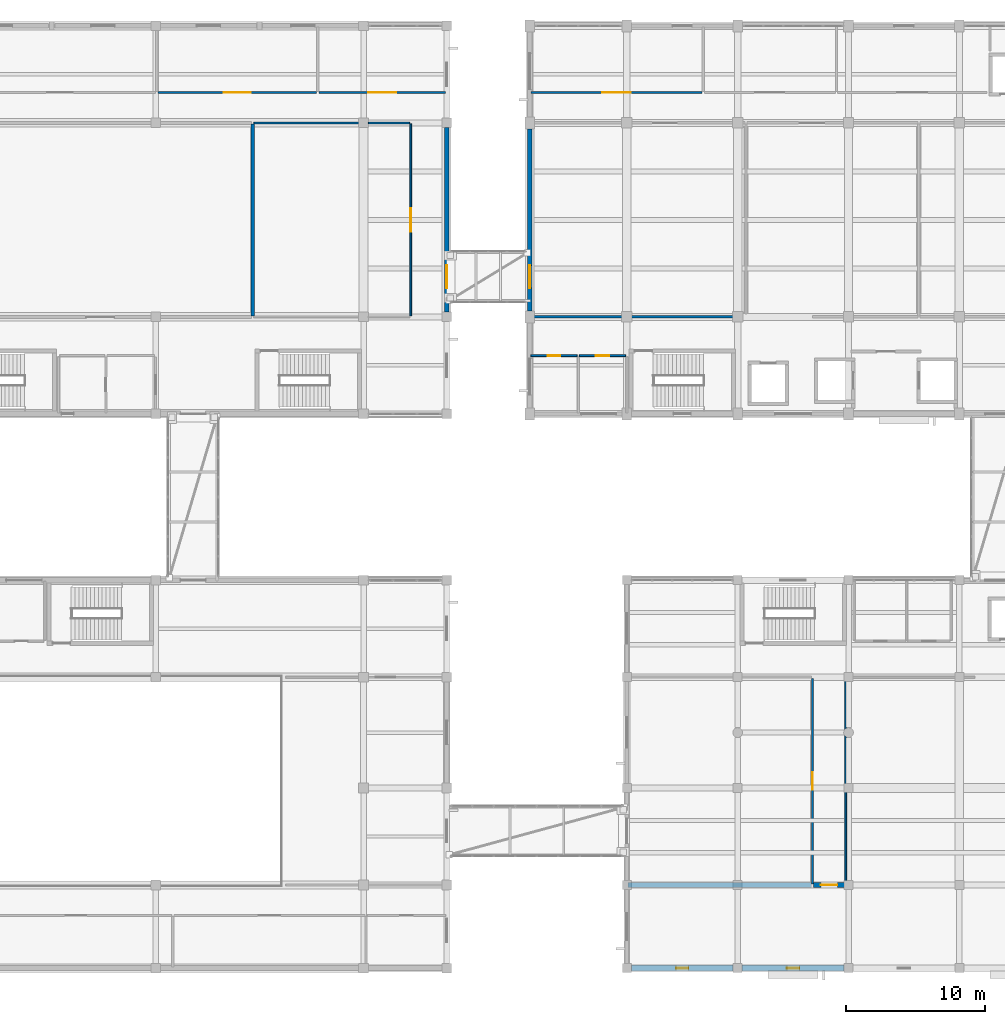
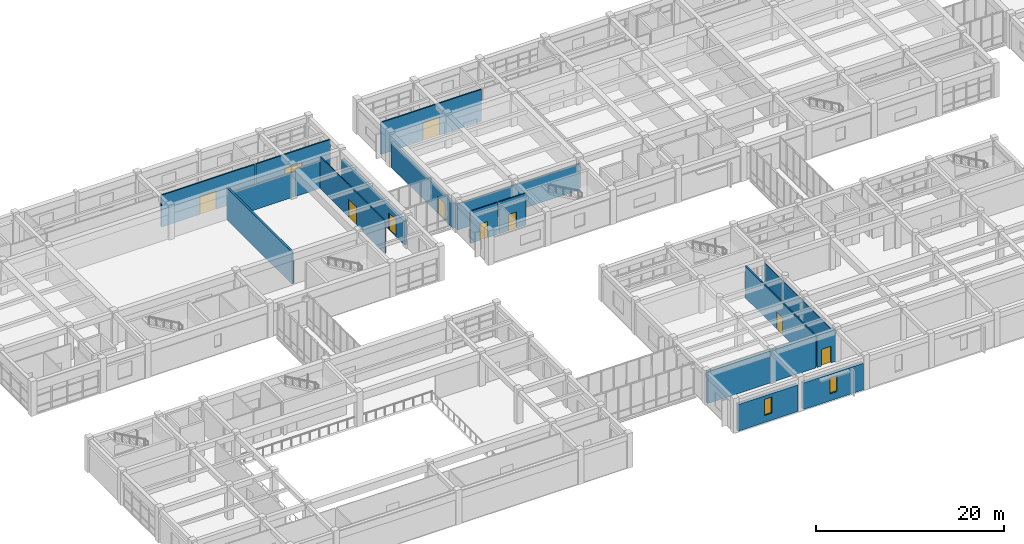
# One storey, part 48 of 70: 18 walls, 10 doors, 2 windows, 12 openings.
"""IFC4 building model written with IfcOpenShell, lengths in metres."""

import ifcopenshell
import ifcopenshell.guid

model = None  # the IFC model being written
_history = None  # IfcOwnerHistory: only IFC2X3 demands one
_inside = {}  # id of a spatial element -> (the spatial element, [elements in it])
_under = {}  # id of a project, library or spatial element -> (it, [spatial elements below it])
_declared = {}  # id of a project -> (the project, [libraries it declares])
_typed = {}  # id of a type object -> (the type object, [elements of that type])
_made_of = {}  # id of a material, layer set ... -> (it, [elements and type objects made of it])


def new_model(schema):
    """Start an empty IFC model of exactly this schema.

    Asked for "IFC4X3", IfcOpenShell would pick the latest addendum, in which some entities
    have other attributes; the version numbers below select the first issue.
    IFC2X3 requires an IfcOwnerHistory on every rooted entity: one is made here for all.
    """
    global model, _history
    if schema == "IFC4X3":
        model = ifcopenshell.file(schema_version=(4, 3, 0, 0))
    else:
        model = ifcopenshell.file(schema=schema)
    _inside.clear()
    _under.clear()
    _declared.clear()
    _typed.clear()
    _made_of.clear()
    _history = None
    if model.schema == "IFC2X3":
        org = make("IfcOrganization", Name="unknown")
        user = make(
            "IfcPersonAndOrganization",
            ThePerson=make("IfcPerson", FamilyName="unknown"),
            TheOrganization=org,
        )
        app = make(
            "IfcApplication",
            ApplicationDeveloper=org,
            Version="unknown",
            ApplicationFullName="unknown",
            ApplicationIdentifier="unknown",
        )
        _history = make(
            "IfcOwnerHistory",
            OwningUser=user,
            OwningApplication=app,
            ChangeAction="ADDED",
            CreationDate=0,
        )
    return model


def make(cls, **values):
    """One entity of the class cls with the attributes given. An attribute that is None is left unset."""
    return model.create_entity(
        cls, **{name: value for name, value in values.items() if value is not None}
    )


def rooted(cls, **values):
    """An entity with a GlobalId (a new one), such as an element, a storey or a relation."""
    return make(cls, GlobalId=ifcopenshell.guid.new(), OwnerHistory=_history, **values)


def si_unit(unit_type, name, prefix=None):
    """IfcSIUnit, for example si_unit("LENGTHUNIT", "METRE", prefix="MILLI")."""
    return make("IfcSIUnit", UnitType=unit_type, Prefix=prefix, Name=name)


def assignment(units):
    """IfcUnitAssignment: the units of a project."""
    return None if units is None else make("IfcUnitAssignment", Units=units)


def point(xyz):
    """IfcCartesianPoint."""
    return None if xyz is None else make("IfcCartesianPoint", Coordinates=xyz)


def direction(xyz):
    """IfcDirection."""
    return None if xyz is None else make("IfcDirection", DirectionRatios=xyz)


def frame(location, z_axis=None, x_axis=None):
    """IfcAxis2Placement3D, a coordinate frame: its origin and axes. An axis left out is left unset."""
    return make(
        "IfcAxis2Placement3D",
        Location=point(location),
        Axis=direction(z_axis),
        RefDirection=direction(x_axis),
    )


def frame_2d(location, x_axis=None):
    """IfcAxis2Placement2D, a coordinate frame in the plane: its origin and x axis."""
    return make(
        "IfcAxis2Placement2D", Location=point(location), RefDirection=direction(x_axis)
    )


def origin():
    """The frame at (0, 0, 0) with its axes left unset."""
    return frame((0.0, 0.0, 0.0))


def place(relative_to, where):
    """IfcLocalPlacement: puts the frame where relative to a parent placement (None: the world)."""
    return make(
        "IfcLocalPlacement", PlacementRelTo=relative_to, RelativePlacement=where
    )


def context(
    kind, dimensions, precision=None, world=None, true_north=None, identifier=None
):
    """IfcGeometricRepresentationContext, for example the 3D "Model" context."""
    return make(
        "IfcGeometricRepresentationContext",
        ContextIdentifier=identifier,
        ContextType=kind,
        CoordinateSpaceDimension=dimensions,
        Precision=precision,
        WorldCoordinateSystem=world,
        TrueNorth=true_north,
    )


def subcontext(parent, identifier, kind, view, scale=None):
    """IfcGeometricRepresentationSubContext, for example "Body" below "Model"."""
    return make(
        "IfcGeometricRepresentationSubContext",
        ContextIdentifier=identifier,
        ContextType=kind,
        ParentContext=parent,
        TargetScale=scale,
        TargetView=view,
    )


def project(units=None, contexts=None):
    """IfcProject with its units and contexts."""
    return rooted(
        "IfcProject",
        Name="project",
        RepresentationContexts=contexts,
        UnitsInContext=assignment(units),
    )


def spatial(cls, under=None, at=None, **own):
    """A site, building, storey or space (cls), placed at a placement, below another one or the project."""
    s = rooted(cls, ObjectPlacement=at, **own)
    if under is not None:
        _under.setdefault(under.id(), (under, []))[1].append(s)
    return s


def profile(cls, at=None, kind="AREA", **sizes):
    """A parametric profile (cls). Its sizes go by their IFC names, for example OverallWidth=200.0."""
    return make(cls, ProfileType=kind, Position=at, **sizes)


def rectangle(**sizes):
    """IfcRectangleProfileDef."""
    return profile("IfcRectangleProfileDef", **sizes)


def extrude(swept, where, along, depth):
    """IfcExtrudedAreaSolid: the profile swept, set in the frame where, extruded along a direction by depth."""
    return make(
        "IfcExtrudedAreaSolid",
        SweptArea=swept,
        Position=where,
        ExtrudedDirection=direction(along),
        Depth=depth,
    )


def shape(context_of_items, identifier, shape_type, items):
    """IfcShapeRepresentation: the items that make up one representation, for example the "Body"."""
    return make(
        "IfcShapeRepresentation",
        ContextOfItems=context_of_items,
        RepresentationIdentifier=identifier,
        RepresentationType=shape_type,
        Items=items,
    )


def material(Name=None, Category=None):
    """IfcMaterial."""
    return make("IfcMaterial", Name=Name, Category=Category)


def layer(
    of_material, thickness, ventilated=None, Name=None, Category=None, Priority=None
):
    """IfcMaterialLayer: one layer of a wall or slab, of a material (None: an air gap)."""
    return make(
        "IfcMaterialLayer",
        Material=of_material,
        LayerThickness=thickness,
        IsVentilated=ventilated,
        Name=Name,
        Category=Category,
        Priority=Priority,
    )


def layer_set(layers, Name=None):
    """IfcMaterialLayerSet."""
    return make("IfcMaterialLayerSet", MaterialLayers=layers, LayerSetName=Name)


def made_of(thing, what):
    """Note that an element or type object is made of a material, layer set ...; save() writes the relation."""
    if what is not None:
        _made_of.setdefault(what.id(), (what, []))[1].append(thing)
    return thing


def type_object(cls, material=None, **own):
    """A type object (cls), such as IfcWallType, which elements share."""
    return made_of(rooted(cls, **own), material)


def element(
    cls,
    number,
    at=None,
    inside=None,
    cuts=None,
    type_object=None,
    material=None,
    context=None,
    identifier="Body",
    shape_type=None,
    held_by="IfcProductDefinitionShape",
    body=None,
    shapes=None,
    **own,
):
    """One element of the class cls, such as IfcWall. Its Tag is "e" and its number.

    at: its placement. inside: the storey or other place that contains it. cuts: it is an
    opening in that element (IfcRelVoidsElement). A single representation is given by context,
    identifier, shape_type and body (its items); several are given by shapes. held_by: the class
    of the entity that holds the representations. save() writes the other relations.
    """
    e = rooted(cls, Tag="e%d" % number, ObjectPlacement=at, **own)
    if body is not None:
        shapes = [shape(context, identifier, shape_type, body)]
    if shapes is not None:
        e.Representation = make(held_by, Representations=shapes)
    if inside is not None:
        _inside.setdefault(inside.id(), (inside, []))[1].append(e)
    if cuts is not None:
        rooted(
            "IfcRelVoidsElement", RelatingBuildingElement=cuts, RelatedOpeningElement=e
        )
    if type_object is not None:
        _typed.setdefault(type_object.id(), (type_object, []))[1].append(e)
    return made_of(e, material)


def fill(opening, filler):
    """IfcRelFillsElement: the door or window that sits in an opening."""
    return rooted(
        "IfcRelFillsElement",
        RelatingOpeningElement=opening,
        RelatedBuildingElement=filler,
    )


def aggregate(whole, parts):
    """IfcRelAggregates: a whole, such as a stair, and the parts it consists of."""
    return rooted("IfcRelAggregates", RelatingObject=whole, RelatedObjects=parts)


def save(model, path):
    """Write the relations noted so far, then the file.

    IfcRelAggregates (storeys below a building ...), IfcRelContainedInSpatialStructure (elements
    in a storey), IfcRelDefinesByType, IfcRelAssociatesMaterial and IfcRelDeclares: one each for
    every whole, place, type object, material and project.
    """
    for whole, parts in _under.values():
        aggregate(whole, parts)
    for where, things in _inside.values():
        rooted(
            "IfcRelContainedInSpatialStructure",
            RelatedElements=things,
            RelatingStructure=where,
        )
    for kind, things in _typed.values():
        rooted("IfcRelDefinesByType", RelatedObjects=things, RelatingType=kind)
    for what, things in _made_of.values():
        rooted("IfcRelAssociatesMaterial", RelatedObjects=things, RelatingMaterial=what)
    for by, libraries in _declared.values():
        rooted("IfcRelDeclares", RelatingContext=by, RelatedDefinitions=libraries)
    model.write(path)


model = new_model("IFC4")

# Units and contexts
model_context = context("Model", 3, precision=1e-05, world=origin(), true_north=direction((0.0, 1.0)))
body_context = subcontext(model_context, "Body", "Model", "MODEL_VIEW")
ifc_project = project(units=[si_unit("LENGTHUNIT", "METRE"), si_unit("AREAUNIT", "SQUARE_METRE"), si_unit("VOLUMEUNIT", "CUBIC_METRE"), si_unit("PLANEANGLEUNIT", "RADIAN"), si_unit("MASSUNIT", "GRAM", prefix="KILO")], contexts=[model_context])

# Site, building, storey
site_placement = place(None, origin())
site = spatial("IfcSite", under=ifc_project, at=site_placement, CompositionType="ELEMENT")
building_placement = place(site_placement, origin())
building = spatial("IfcBuilding", under=site, at=building_placement, Name="Naurynzar Civic Courthouse", CompositionType="ELEMENT")
storey_placement = place(building_placement, frame((0.0, 0.0, 5.39990234375)))
storey = spatial("IfcBuildingStorey", under=building, at=storey_placement, Name="L02", CompositionType="ELEMENT", Elevation=5.39990234375)

# Walls
ifc_material_1 = material(Name="Acoustic Double-Stud Gypsum Partition")
ifc_layer_1 = layer(ifc_material_1, 0.169921875)
ifc_layer_set_1 = layer_set([ifc_layer_1], Name="WL-ACOUSTIC-170")
wall_type_1 = type_object("IfcWallType", Name="WL-ACOUSTIC-170", PredefinedType="PARTITIONING", material=ifc_layer_set_1)
wall_1_placement = place(storey_placement, frame((62.080078125, 51.0, 0.0), z_axis=(0.0, 0.0, 1.0), x_axis=(1.0, 0.0, 0.0)))
element("IfcWall", 1, at=wall_1_placement, inside=storey, type_object=wall_type_1, Name="V2 interior partition L02.226", PredefinedType="PARTITIONING", context=body_context, shape_type="SweptSolid", body=[
    extrude(rectangle(XDim=15.119873046875, YDim=0.169921875, at=frame_2d((7.56005859375, 0.0))), origin(), (0.0, 0.0, 1.0), 3.400146484375),
])
ifc_material_2 = material(Name="Acoustic Double-Stud Gypsum Partition")
ifc_layer_2 = layer(ifc_material_2, 0.235107421875)
ifc_layer_set_2 = layer_set([ifc_layer_2], Name="WL-ACOUSTIC-235")
wall_type_2 = type_object("IfcWallType", Name="WL-ACOUSTIC-235", PredefinedType="PARTITIONING", material=ifc_layer_set_2)
wall_2_placement = place(storey_placement, frame((42.0, 51.080078125, 0.0), z_axis=(0.0, 0.0, 1.0), x_axis=(0.0, 1.0, 0.0)))
element("IfcWall", 2, at=wall_2_placement, inside=storey, type_object=wall_type_2, Name="V1 interior partition L02.268", PredefinedType="PARTITIONING", context=body_context, shape_type="SweptSolid", body=[
    extrude(rectangle(XDim=13.83984375, YDim=0.235107421875, at=frame_2d((6.919921875, 0.0))), origin(), (0.0, 0.0, 1.0), 4.14013671875),
])
ifc_material_3 = material(Name="Concrete C40/50", Category="concrete")
ifc_layer_3 = layer(ifc_material_3, 0.35009765625)
ifc_layer_set_3 = layer_set([ifc_layer_3], Name="WL-CORE-350")
wall_type_3 = type_object("IfcWallType", Name="WL-CORE-350", PredefinedType="SHEAR", material=ifc_layer_set_3)
wall_3_placement = place(storey_placement, frame((69.080078125, 10.0, 0.0), z_axis=(0.0, 0.0, 1.0), x_axis=(1.0, 0.0, 0.0)))
element("IfcWall", 3, at=wall_3_placement, inside=storey, type_object=wall_type_3, Name="V3 interior partition L02.190", PredefinedType="SHEAR", context=body_context, shape_type="SweptSolid", body=[
    extrude(rectangle(XDim=13.239990234375, YDim=0.35009765625, at=frame_2d((6.6201171875, 0.0))), origin(), (0.0, 0.0, 1.0), 4.14013671875),
])

# Wall, opening, door
wall_4_placement = place(storey_placement, frame((82.47998046875, 10.0, 0.0), z_axis=(0.0, 0.0, 1.0), x_axis=(1.0, 0.0, 0.0)))
wall_4 = element("IfcWall", 4, at=wall_4_placement, inside=storey, type_object=wall_type_3, Name="V3 interior partition L02.191", PredefinedType="SHEAR", context=body_context, shape_type="SweptSolid", body=[
    extrude(rectangle(XDim=2.239990234375, YDim=0.35009765625, at=frame_2d((1.1201171875, 0.0))), origin(), (0.0, 0.0, 1.0), 4.14013671875),
])
opening_1_placement = place(wall_4_placement, frame((0.52001953125, 0.0, 0.0)))
opening_1 = element("IfcOpeningElement", 5, at=opening_1_placement, cuts=wall_4, Name="Opening D-236", PredefinedType="OPENING", context=body_context, shape_type="SweptSolid", body=[
    extrude(rectangle(XDim=1.199951171875, YDim=2.14990234375, at=frame_2d((0.60009765625, 1.074951171875))), frame((0.0, 0.18505859375, 0.0), z_axis=(0.0, -1.0, 0.0), x_axis=(1.0, 0.0, 0.0)), (0.0, 0.0, 1.0), 0.3701171875),
])
ifc_material_4 = material(Name="Powder-Coated Galvanised Steel", Category="steel")
door_type_1 = type_object("IfcDoorType", Name="DR-ARCH-1200x2150", OperationType="NOTDEFINED", PredefinedType="DOOR", material=ifc_material_4)
door_1_placement = place(opening_1_placement, origin())
door_1 = element("IfcDoor", 6, at=door_1_placement, inside=storey, type_object=door_type_1, Name="Interior door D-236 (Law Library Book Stacks South L02)", OperationType="SINGLE_SWING_RIGHT", OverallHeight=2.14990234375, OverallWidth=1.199951171875, PredefinedType="DOOR", context=body_context, shape_type="SweptSolid", body=[
    extrude(rectangle(XDim=1.199951171875, YDim=2.14990234375, at=frame_2d((0.60009765625, 1.074951171875))), frame((0.0, 0.02490234375, 0.0), z_axis=(0.0, -1.0, 0.0), x_axis=(1.0, 0.0, 0.0)), (0.0, 0.0, 1.0), 0.050048828125),
])
fill(opening_1, door_1)

ifc_material_5 = material(Name="Precast concrete C40/50", Category="concrete")
ifc_layer_4 = layer(ifc_material_5, 0.300048828125)
ifc_layer_set_4 = layer_set([ifc_layer_4], Name="WL-EXT-300")
wall_type_4 = type_object("IfcWallType", Name="WL-EXT-300", PredefinedType="SOLIDWALL", material=ifc_layer_set_4)
wall_5_placement = place(storey_placement, frame((62.0, 51.425048828125, 0.0), z_axis=(0.0, 0.0, 1.0), x_axis=(0.0, 1.0, 0.0)))
wall_5 = element("IfcWall", 7, at=wall_5_placement, inside=storey, type_object=wall_type_4, Name="V2 exterior wall west L02.2.1", PredefinedType="SOLIDWALL", context=body_context, shape_type="SweptSolid", body=[
    extrude(rectangle(XDim=13.14990234375, YDim=0.300048828125, at=frame_2d((6.574951171875, 0.0))), origin(), (0.0, 0.0, 1.0), 3.22998046875),
])
opening_2_placement = place(wall_5_placement, frame((1.64990234375, 0.0, 0.0)))
opening_2 = element("IfcOpeningElement", 8, at=opening_2_placement, cuts=wall_5, Name="Opening BD-08", PredefinedType="OPENING", context=body_context, shape_type="SweptSolid", body=[
    extrude(rectangle(XDim=1.64990234375, YDim=2.199951171875, at=frame_2d((0.824951171875, 1.10009765625))), frame((0.0, 0.159912109375, 0.0), z_axis=(0.0, -1.0, 0.0), x_axis=(1.0, 0.0, 0.0)), (0.0, 0.0, 1.0), 0.320068359375),
])
ifc_material_6 = material(Name="Aluminium 6063-T6", Category="aluminium")
door_type_2 = type_object("IfcDoorType", Name="DR-BRG-1650x2200", OperationType="DOUBLE_DOOR_SINGLE_SWING", PredefinedType="DOOR", material=ifc_material_6)
door_2_placement = place(opening_2_placement, origin())
door_2 = element("IfcDoor", 9, at=door_2_placement, inside=storey, type_object=door_type_2, Name="Seismic bridge fire door BD-08", OperationType="DOUBLE_DOOR_SINGLE_SWING", OverallHeight=2.199951171875, OverallWidth=1.64990234375, PredefinedType="DOOR", context=body_context, shape_type="SweptSolid", body=[
    extrude(rectangle(XDim=1.64990234375, YDim=2.199951171875, at=frame_2d((0.824951171875, 1.10009765625))), frame((0.0, 0.02490234375, 0.0), z_axis=(0.0, -1.0, 0.0), x_axis=(1.0, 0.0, 0.0)), (0.0, 0.0, 1.0), 0.050048828125),
])
fill(opening_2, door_2)

ifc_material_7 = material(Name="Precast concrete C40/50", Category="concrete")
ifc_layer_5 = layer(ifc_material_7, 0.320068359375)
ifc_layer_set_5 = layer_set([ifc_layer_5], Name="WL-EXT-320")
wall_type_5 = type_object("IfcWallType", Name="WL-EXT-320", PredefinedType="SOLIDWALL", material=ifc_layer_set_5)
wall_6_placement = place(storey_placement, frame((56.0, 64.64990234375, 0.0), z_axis=(0.0, 0.0, 1.0), x_axis=(0.0, -1.0, 0.0)))
wall_6 = element("IfcWall", 10, at=wall_6_placement, inside=storey, type_object=wall_type_5, Name="V1 exterior wall east L02.2.1", PredefinedType="SOLIDWALL", context=body_context, shape_type="SweptSolid", body=[
    extrude(rectangle(XDim=13.2998046875, YDim=0.320068359375, at=frame_2d((6.64990234375, 0.0))), origin(), (0.0, 0.0, 1.0), 3.110107421875),
])
opening_3_placement = place(wall_6_placement, frame((9.925048828125, 0.0, 0.0)))
opening_3 = element("IfcOpeningElement", 11, at=opening_3_placement, cuts=wall_6, Name="Opening BD-02", PredefinedType="OPENING", context=body_context, shape_type="SweptSolid", body=[
    extrude(rectangle(XDim=1.64990234375, YDim=2.199951171875, at=frame_2d((0.824951171875, 1.10009765625))), frame((0.0, 0.169921875, 0.0), z_axis=(0.0, -1.0, 0.0), x_axis=(1.0, 0.0, 0.0)), (0.0, 0.0, 1.0), 0.340087890625),
])
door_3_placement = place(opening_3_placement, origin())
door_3 = element("IfcDoor", 12, at=door_3_placement, inside=storey, type_object=door_type_2, Name="Seismic bridge fire door BD-02", OperationType="DOUBLE_DOOR_SINGLE_SWING", OverallHeight=2.199951171875, OverallWidth=1.64990234375, PredefinedType="DOOR", context=body_context, shape_type="SweptSolid", body=[
    extrude(rectangle(XDim=1.64990234375, YDim=2.199951171875, at=frame_2d((0.824951171875, 1.10009765625))), frame((0.0, 0.02490234375, 0.0), z_axis=(0.0, -1.0, 0.0), x_axis=(1.0, 0.0, 0.0)), (0.0, 0.0, 1.0), 0.050048828125),
])
fill(opening_3, door_3)

ifc_material_8 = material(Name="Insulated Metal-Stud Gypsum Partition")
ifc_layer_6 = layer(ifc_material_8, 0.159912109375)
ifc_layer_set_6 = layer_set([ifc_layer_6], Name="WL-PART-CHAMB-160")
wall_type_6 = type_object("IfcWallType", Name="WL-PART-CHAMB-160", PredefinedType="PARTITIONING", material=ifc_layer_set_6)
wall_7_placement = place(storey_placement, frame((35.14990234375, 67.199951171875, 0.0), z_axis=(0.0, 0.0, 1.0), x_axis=(1.0, 0.0, 0.0)))
wall_7 = element("IfcWall", 13, at=wall_7_placement, inside=storey, type_object=wall_type_6, Name="V1 interior partition L02.247", PredefinedType="PARTITIONING", context=body_context, shape_type="SweptSolid", body=[
    extrude(rectangle(XDim=11.47021484375, YDim=0.159912109375, at=frame_2d((5.735107421875, 0.0))), origin(), (0.0, 0.0, 1.0), 4.14013671875),
])
opening_4_placement = place(wall_7_placement, frame((4.760009765625, 0.0, 0.0)))
opening_4 = element("IfcOpeningElement", 14, at=opening_4_placement, cuts=wall_7, Name="Opening D-027", PredefinedType="OPENING", context=body_context, shape_type="SweptSolid", body=[
    extrude(rectangle(XDim=1.949951171875, YDim=2.35009765625, at=frame_2d((0.97509765625, 1.175048828125))), frame((0.0, 0.08984375, 0.0), z_axis=(0.0, -1.0, 0.0), x_axis=(1.0, 0.0, 0.0)), (0.0, 0.0, 1.0), 0.179931640625),
])
ifc_material_9 = material(Name="Acoustic Oak Timber Grade A", Category="wood")
door_type_3 = type_object("IfcDoorType", Name="DR-SUITE-1950x2350", OperationType="DOUBLE_DOOR_SINGLE_SWING", PredefinedType="DOOR", material=ifc_material_9)
door_4_placement = place(opening_4_placement, origin())
door_4 = element("IfcDoor", 15, at=door_4_placement, inside=storey, type_object=door_type_3, Name="Interior door D-027 (Judicial Robing Room)", OperationType="DOUBLE_DOOR_SINGLE_SWING", OverallHeight=2.35009765625, OverallWidth=1.949951171875, PredefinedType="DOOR", context=body_context, shape_type="SweptSolid", body=[
    extrude(rectangle(XDim=1.949951171875, YDim=2.35009765625, at=frame_2d((0.97509765625, 1.175048828125))), frame((0.0, 0.02490234375, 0.0), z_axis=(0.0, -1.0, 0.0), x_axis=(1.0, 0.0, 0.0)), (0.0, 0.0, 1.0), 0.050048828125),
])
fill(opening_4, door_4)

wall_8_placement = place(storey_placement, frame((46.780029296875, 67.199951171875, 0.0), z_axis=(0.0, 0.0, 1.0), x_axis=(1.0, 0.0, 0.0)))
wall_8 = element("IfcWall", 16, at=wall_8_placement, inside=storey, type_object=wall_type_6, Name="V1 interior partition L02.248", PredefinedType="PARTITIONING", context=body_context, shape_type="SweptSolid", body=[
    extrude(rectangle(XDim=9.139892578125, YDim=0.159912109375, at=frame_2d((4.56982421875, 0.0))), origin(), (0.0, 0.0, 1.0), 4.14013671875),
])
opening_5_placement = place(wall_8_placement, frame((3.544921875, 0.0, 0.0)))
opening_5 = element("IfcOpeningElement", 17, at=opening_5_placement, cuts=wall_8, Name="Opening D-028", PredefinedType="OPENING", context=body_context, shape_type="SweptSolid", body=[
    extrude(rectangle(XDim=2.050048828125, YDim=2.35009765625, at=frame_2d((1.02490234375, 1.175048828125))), frame((0.0, 0.08984375, 0.0), z_axis=(0.0, -1.0, 0.0), x_axis=(1.0, 0.0, 0.0)), (0.0, 0.0, 1.0), 0.179931640625),
])
ifc_material_10 = material(Name="Acoustic Oak Timber Grade A", Category="wood")
door_type_4 = type_object("IfcDoorType", Name="DR-SUITE-2050x2350", OperationType="DOUBLE_DOOR_SINGLE_SWING", PredefinedType="DOOR", material=ifc_material_10)
door_5_placement = place(opening_5_placement, origin())
door_5 = element("IfcDoor", 18, at=door_5_placement, inside=storey, type_object=door_type_4, Name="Interior door D-028 (Audio Recording Room)", OperationType="DOUBLE_DOOR_SINGLE_SWING", OverallHeight=2.35009765625, OverallWidth=2.050048828125, PredefinedType="DOOR", context=body_context, shape_type="SweptSolid", body=[
    extrude(rectangle(XDim=2.050048828125, YDim=2.35009765625, at=frame_2d((1.02490234375, 1.175048828125))), frame((0.0, 0.02490234375, 0.0), z_axis=(0.0, -1.0, 0.0), x_axis=(1.0, 0.0, 0.0)), (0.0, 0.0, 1.0), 0.050048828125),
])
fill(opening_5, door_5)

wall_9_placement = place(storey_placement, frame((62.080078125, 67.199951171875, 0.0), z_axis=(0.0, 0.0, 1.0), x_axis=(1.0, 0.0, 0.0)))
wall_9 = element("IfcWall", 19, at=wall_9_placement, inside=storey, type_object=wall_type_6, Name="V2 interior partition L02.249", PredefinedType="PARTITIONING", context=body_context, shape_type="SweptSolid", body=[
    extrude(rectangle(XDim=12.349853515625, YDim=0.159912109375, at=frame_2d((6.1748046875, 0.0))), origin(), (0.0, 0.0, 1.0), 4.14013671875),
])
opening_6_placement = place(wall_9_placement, frame((5.14990234375, 0.0, 0.0)))
opening_6 = element("IfcOpeningElement", 20, at=opening_6_placement, cuts=wall_9, Name="Opening D-121", PredefinedType="OPENING", context=body_context, shape_type="SweptSolid", body=[
    extrude(rectangle(XDim=2.050048828125, YDim=2.35009765625, at=frame_2d((1.02490234375, 1.175048828125))), frame((0.0, 0.08984375, 0.0), z_axis=(0.0, -1.0, 0.0), x_axis=(1.0, 0.0, 0.0)), (0.0, 0.0, 1.0), 0.179931640625),
])
door_6_placement = place(opening_6_placement, origin())
door_6 = element("IfcDoor", 21, at=door_6_placement, inside=storey, type_object=door_type_4, Name="Interior door D-121 (Judges' Chambers L02-1)", OperationType="DOUBLE_DOOR_SINGLE_SWING", OverallHeight=2.35009765625, OverallWidth=2.050048828125, PredefinedType="DOOR", context=body_context, shape_type="SweptSolid", body=[
    extrude(rectangle(XDim=2.050048828125, YDim=2.35009765625, at=frame_2d((1.02490234375, 1.175048828125))), frame((0.0, 0.02490234375, 0.0), z_axis=(0.0, -1.0, 0.0), x_axis=(1.0, 0.0, 0.0)), (0.0, 0.0, 1.0), 0.050048828125),
])
fill(opening_6, door_6)

ifc_material_11 = material(Name="Fire-Rated Corridor Gypsum Partition")
ifc_layer_7 = layer(ifc_material_11, 0.14990234375)
ifc_layer_set_7 = layer_set([ifc_layer_7], Name="WL-PART-CORR-150")
wall_type_7 = type_object("IfcWallType", Name="WL-PART-CORR-150", PredefinedType="PARTITIONING", material=ifc_layer_set_7)
wall_10_placement = place(storey_placement, frame((82.39990234375, 10.080078125, 0.0), z_axis=(0.0, 0.0, 1.0), x_axis=(0.0, 1.0, 0.0)))
wall_10 = element("IfcWall", 22, at=wall_10_placement, inside=storey, type_object=wall_type_7, Name="V3 interior partition L02.276", PredefinedType="PARTITIONING", context=body_context, shape_type="SweptSolid", body=[
    extrude(rectangle(XDim=14.83984375, YDim=0.14990234375, at=frame_2d((7.419921875, 0.0))), origin(), (0.0, 0.0, 1.0), 4.14013671875),
])
opening_7_placement = place(wall_10_placement, frame((6.7900390625, 0.0, 0.0)))
opening_7 = element("IfcOpeningElement", 23, at=opening_7_placement, cuts=wall_10, Name="Opening D-234", PredefinedType="OPENING", context=body_context, shape_type="SweptSolid", body=[
    extrude(rectangle(XDim=1.260009765625, YDim=2.199951171875, at=frame_2d((0.6298828125, 1.10009765625))), frame((0.0, 0.0849609375, 0.0), z_axis=(0.0, -1.0, 0.0), x_axis=(1.0, 0.0, 0.0)), (0.0, 0.0, 1.0), 0.169921875),
])
ifc_material_12 = material(Name="Acoustic Oak Timber Grade A", Category="wood")
door_type_5 = type_object("IfcDoorType", Name="DR-SUITE-1260x2200", OperationType="NOTDEFINED", PredefinedType="DOOR", material=ifc_material_12)
door_7_placement = place(opening_7_placement, origin())
door_7 = element("IfcDoor", 24, at=door_7_placement, inside=storey, type_object=door_type_5, Name="Interior door D-234 (Judicial Codification Research Hall)", OperationType="SINGLE_SWING_RIGHT", OverallHeight=2.199951171875, OverallWidth=1.260009765625, PredefinedType="DOOR", context=body_context, shape_type="SweptSolid", body=[
    extrude(rectangle(XDim=1.260009765625, YDim=2.199951171875, at=frame_2d((0.6298828125, 1.10009765625))), frame((0.0, 0.02490234375, 0.0), z_axis=(0.0, -1.0, 0.0), x_axis=(1.0, 0.0, 0.0)), (0.0, 0.0, 1.0), 0.050048828125),
])
fill(opening_7, door_7)

# Walls
ifc_material_13 = material(Name="Metal-Stud Gypsum Partition")
ifc_layer_8 = layer(ifc_material_13, 0.125)
ifc_layer_set_8 = layer_set([ifc_layer_8], Name="WL-PART-STD-125")
wall_type_8 = type_object("IfcWallType", Name="WL-PART-STD-125", PredefinedType="PARTITIONING", material=ifc_layer_set_8)
wall_11_placement = place(storey_placement, frame((42.080078125, 65.0, 0.0), z_axis=(0.0, 0.0, 1.0), x_axis=(1.0, 0.0, 0.0)))
element("IfcWall", 25, at=wall_11_placement, inside=storey, type_object=wall_type_8, Name="V1 interior partition L02.236a", PredefinedType="PARTITIONING", context=body_context, shape_type="SweptSolid", body=[
    extrude(rectangle(XDim=8.27001953125, YDim=0.125, at=frame_2d((4.135009765625, 0.0))), origin(), (0.0, 0.0, 1.0), 3.280029296875),
])
wall_12_placement = place(storey_placement, frame((50.35009765625, 65.0, 0.0), z_axis=(0.0, 0.0, 1.0), x_axis=(1.0, 0.0, 0.0)))
element("IfcWall", 26, at=wall_12_placement, inside=storey, type_object=wall_type_8, Name="V1 interior partition L02.236ab", PredefinedType="PARTITIONING", context=body_context, shape_type="SweptSolid", body=[
    extrude(rectangle(XDim=2.969970703125, YDim=0.125, at=frame_2d((1.48486328125, 0.0))), origin(), (0.0, 0.0, 1.0), 3.530029296875),
])

# Wall, opening, door
wall_13_placement = place(storey_placement, frame((53.39990234375, 51.080078125, 0.0), z_axis=(0.0, 0.0, 1.0), x_axis=(0.0, 1.0, 0.0)))
wall_13 = element("IfcWall", 27, at=wall_13_placement, inside=storey, type_object=wall_type_8, Name="V1 interior partition L02.271", PredefinedType="PARTITIONING", context=body_context, shape_type="SweptSolid", body=[
    extrude(rectangle(XDim=13.83984375, YDim=0.125, at=frame_2d((6.919921875, 0.0))), origin(), (0.0, 0.0, 1.0), 4.14013671875),
])
opening_8_placement = place(wall_13_placement, frame((6.070068359375, 0.0, 0.0)))
opening_8 = element("IfcOpeningElement", 28, at=opening_8_placement, cuts=wall_13, Name="Opening D-024", PredefinedType="OPENING", context=body_context, shape_type="SweptSolid", body=[
    extrude(rectangle(XDim=1.699951171875, YDim=2.300048828125, at=frame_2d((0.85009765625, 1.14990234375))), frame((0.0, 0.072509765625, 0.0), z_axis=(0.0, -1.0, 0.0), x_axis=(1.0, 0.0, 0.0)), (0.0, 0.0, 1.0), 0.14501953125),
])
ifc_material_14 = material(Name="Acoustic Oak Timber Grade A", Category="wood")
door_type_6 = type_object("IfcDoorType", Name="DR-SUITE-1700x2300", OperationType="DOUBLE_DOOR_SINGLE_SWING", PredefinedType="DOOR", material=ifc_material_14)
door_8_placement = place(opening_8_placement, origin())
door_8 = element("IfcDoor", 29, at=door_8_placement, inside=storey, type_object=door_type_6, Name="Interior door D-024 (Witness Waiting Suite)", OperationType="DOUBLE_DOOR_SINGLE_SWING", OverallHeight=2.300048828125, OverallWidth=1.699951171875, PredefinedType="DOOR", context=body_context, shape_type="SweptSolid", body=[
    extrude(rectangle(XDim=1.699951171875, YDim=2.300048828125, at=frame_2d((0.85009765625, 1.14990234375))), frame((0.0, 0.02490234375, 0.0), z_axis=(0.0, -1.0, 0.0), x_axis=(1.0, 0.0, 0.0)), (0.0, 0.0, 1.0), 0.050048828125),
])
fill(opening_8, door_8)

# Wall
wall_14_placement = place(storey_placement, frame((84.800048828125, 10.080078125, 0.0), z_axis=(0.0, 0.0, 1.0), x_axis=(0.0, 1.0, 0.0)))
element("IfcWall", 30, at=wall_14_placement, inside=storey, type_object=wall_type_8, Name="V3 interior partition L02.278", PredefinedType="PARTITIONING", context=body_context, shape_type="SweptSolid", body=[
    extrude(rectangle(XDim=14.83984375, YDim=0.125, at=frame_2d((7.419921875, 0.0))), origin(), (0.0, 0.0, 1.0), 3.610107421875),
])

# Wall, opening, door
ifc_material_15 = material(Name="Moisture-Resistant Plumbing Partition")
ifc_layer_9 = layer(ifc_material_15, 0.139892578125)
ifc_layer_set_9 = layer_set([ifc_layer_9], Name="WL-PART-WC-140")
wall_type_9 = type_object("IfcWallType", Name="WL-PART-WC-140", PredefinedType="PLUMBINGWALL", material=ifc_layer_set_9)
wall_15_placement = place(storey_placement, frame((62.080078125, 48.199951171875, 0.0), z_axis=(0.0, 0.0, 1.0), x_axis=(1.0, 0.0, 0.0)))
wall_15 = element("IfcWall", 31, at=wall_15_placement, inside=storey, type_object=wall_type_9, Name="V2 interior partition L02.218", PredefinedType="PLUMBINGWALL", context=body_context, shape_type="SweptSolid", body=[
    extrude(rectangle(XDim=3.33984375, YDim=0.139892578125, at=frame_2d((1.669921875, 0.0))), origin(), (0.0, 0.0, 1.0), 4.14013671875),
])
opening_9_placement = place(wall_15_placement, frame((1.2099609375, 0.0, 0.0)))
opening_9 = element("IfcOpeningElement", 32, at=opening_9_placement, cuts=wall_15, Name="Opening D-114", PredefinedType="OPENING", context=body_context, shape_type="SweptSolid", body=[
    extrude(rectangle(XDim=0.919921875, YDim=2.10009765625, at=frame_2d((0.4599609375, 1.050048828125))), frame((0.0, 0.079833984375, 0.0), z_axis=(0.0, -1.0, 0.0), x_axis=(1.0, 0.0, 0.0)), (0.0, 0.0, 1.0), 0.159912109375),
])
ifc_material_16 = material(Name="Acoustic Oak Timber Grade A", Category="wood")
door_type_7 = type_object("IfcDoorType", Name="DR-WC-STD-920x2100", OperationType="NOTDEFINED", PredefinedType="DOOR", material=ifc_material_16)
door_9_placement = place(opening_9_placement, origin())
door_9 = element("IfcDoor", 33, at=door_9_placement, inside=storey, type_object=door_type_7, Name="Interior door D-114 (Public WC V2)", OperationType="SINGLE_SWING_RIGHT", OverallHeight=2.10009765625, OverallWidth=0.919921875, PredefinedType="DOOR", context=body_context, shape_type="SweptSolid", body=[
    extrude(rectangle(XDim=0.919921875, YDim=2.10009765625, at=frame_2d((0.4599609375, 1.050048828125))), frame((0.0, 0.02490234375, 0.0), z_axis=(0.0, -1.0, 0.0), x_axis=(1.0, 0.0, 0.0)), (0.0, 0.0, 1.0), 0.050048828125),
])
fill(opening_9, door_9)

wall_16_placement = place(storey_placement, frame((65.580078125, 48.199951171875, 0.0), z_axis=(0.0, 0.0, 1.0), x_axis=(1.0, 0.0, 0.0)))
wall_16 = element("IfcWall", 34, at=wall_16_placement, inside=storey, type_object=wall_type_9, Name="V2 interior partition L02.219", PredefinedType="PLUMBINGWALL", context=body_context, shape_type="SweptSolid", body=[
    extrude(rectangle(XDim=3.33984375, YDim=0.139892578125, at=frame_2d((1.669921875, 0.0))), origin(), (0.0, 0.0, 1.0), 4.14013671875),
])
opening_10_placement = place(wall_16_placement, frame((1.18994140625, 0.0, 0.0)))
opening_10 = element("IfcOpeningElement", 35, at=opening_10_placement, cuts=wall_16, Name="Opening D-115", PredefinedType="OPENING", context=body_context, shape_type="SweptSolid", body=[
    extrude(rectangle(XDim=0.9599609375, YDim=2.10009765625, at=frame_2d((0.47998046875, 1.050048828125))), frame((0.0, 0.079833984375, 0.0), z_axis=(0.0, -1.0, 0.0), x_axis=(1.0, 0.0, 0.0)), (0.0, 0.0, 1.0), 0.159912109375),
])
ifc_material_17 = material(Name="Acoustic Oak Timber Grade A", Category="wood")
door_type_8 = type_object("IfcDoorType", Name="DR-WC-ACC-960x2100", OperationType="NOTDEFINED", PredefinedType="DOOR", material=ifc_material_17)
door_10_placement = place(opening_10_placement, origin())
door_10 = element("IfcDoor", 36, at=door_10_placement, inside=storey, type_object=door_type_8, Name="Interior door D-115 (Accessible WC V2)", OperationType="SINGLE_SWING_LEFT", OverallHeight=2.10009765625, OverallWidth=0.9599609375, PredefinedType="DOOR", context=body_context, shape_type="SweptSolid", body=[
    extrude(rectangle(XDim=0.9599609375, YDim=2.10009765625, at=frame_2d((0.47998046875, 1.050048828125))), frame((0.0, 0.02490234375, 0.0), z_axis=(0.0, -1.0, 0.0), x_axis=(1.0, 0.0, 0.0)), (0.0, 0.0, 1.0), 0.050048828125),
])
fill(opening_10, door_10)

# Wall, opening, window
ifc_material_18 = material(Name="Concrete C40/50", Category="concrete")
ifc_layer_10 = layer(ifc_material_18, 0.419921875)
ifc_layer_set_10 = layer_set([ifc_layer_10], Name="WL-STACK-420")
wall_type_10 = type_object("IfcWallType", Name="WL-STACK-420", PredefinedType="SOLIDWALL", material=ifc_layer_set_10)
wall_17_placement = place(storey_placement, frame((84.675048828125, 4.0, 0.0), z_axis=(0.0, 0.0, 1.0), x_axis=(-1.0, 0.0, 0.0)))
wall_17 = element("IfcWall", 37, at=wall_17_placement, inside=storey, type_object=wall_type_10, Name="V3 exterior wall south L02.5.1", PredefinedType="SOLIDWALL", context=body_context, shape_type="SweptSolid", body=[
    extrude(rectangle(XDim=7.35009765625, YDim=0.419921875, at=frame_2d((3.675048828125, 0.0))), origin(), (0.0, 0.0, 1.0), 3.440185546875),
])
opening_11_placement = place(wall_17_placement, frame((3.22509765625, 0.0, 0.89990234375)))
opening_11 = element("IfcOpeningElement", 38, at=opening_11_placement, cuts=wall_17, Name="Opening WN-10", PredefinedType="OPENING", context=body_context, shape_type="SweptSolid", body=[
    extrude(rectangle(XDim=0.89990234375, YDim=2.10009765625, at=frame_2d((0.449951171875, 1.050048828125))), frame((0.0, 0.219970703125, 0.0), z_axis=(0.0, -1.0, 0.0), x_axis=(1.0, 0.0, 0.0)), (0.0, 0.0, 1.0), 0.43994140625),
])
ifc_material_19 = material(Name="Tempered Laminated Low-E Glass", Category="glass")
window_type = type_object("IfcWindowType", Name="WIN-LIB-SLOT-900x2100", PartitioningType="SINGLE_PANEL", PredefinedType="WINDOW", material=ifc_material_19)
window_1_placement = place(opening_11_placement, origin())
window_1 = element("IfcWindow", 39, at=window_1_placement, inside=storey, type_object=window_type, Name="V3 window 165 L02", OverallHeight=2.10009765625, OverallWidth=0.89990234375, PartitioningType="SINGLE_PANEL", PredefinedType="WINDOW", context=body_context, shape_type="SweptSolid", body=[
    extrude(rectangle(XDim=0.89990234375, YDim=2.10009765625, at=frame_2d((0.449951171875, 1.050048828125))), frame((0.0, 0.030029296875, 0.0), z_axis=(0.0, -1.0, 0.0), x_axis=(1.0, 0.0, 0.0)), (0.0, 0.0, 1.0), 0.06005859375),
])
fill(opening_11, window_1)

wall_18_placement = place(storey_placement, frame((76.675048828125, 4.0, 0.0), z_axis=(0.0, 0.0, 1.0), x_axis=(-1.0, 0.0, 0.0)))
wall_18 = element("IfcWall", 40, at=wall_18_placement, inside=storey, type_object=wall_type_10, Name="V3 exterior wall south L02.6.1", PredefinedType="SOLIDWALL", context=body_context, shape_type="SweptSolid", body=[
    extrude(rectangle(XDim=7.35009765625, YDim=0.419921875, at=frame_2d((3.675048828125, 0.0))), origin(), (0.0, 0.0, 1.0), 3.440185546875),
])
opening_12_placement = place(wall_18_placement, frame((3.22509765625, 0.0, 0.89990234375)))
opening_12 = element("IfcOpeningElement", 41, at=opening_12_placement, cuts=wall_18, Name="Opening WN-10", PredefinedType="OPENING", context=body_context, shape_type="SweptSolid", body=[
    extrude(rectangle(XDim=0.89990234375, YDim=2.10009765625, at=frame_2d((0.449951171875, 1.050048828125))), frame((0.0, 0.219970703125, 0.0), z_axis=(0.0, -1.0, 0.0), x_axis=(1.0, 0.0, 0.0)), (0.0, 0.0, 1.0), 0.43994140625),
])
window_2_placement = place(opening_12_placement, origin())
window_2 = element("IfcWindow", 42, at=window_2_placement, inside=storey, type_object=window_type, Name="V3 window 166 L02", OverallHeight=2.10009765625, OverallWidth=0.89990234375, PartitioningType="SINGLE_PANEL", PredefinedType="WINDOW", context=body_context, shape_type="SweptSolid", body=[
    extrude(rectangle(XDim=0.89990234375, YDim=2.10009765625, at=frame_2d((0.449951171875, 1.050048828125))), frame((0.0, 0.030029296875, 0.0), z_axis=(0.0, -1.0, 0.0), x_axis=(1.0, 0.0, 0.0)), (0.0, 0.0, 1.0), 0.06005859375),
])
fill(opening_12, window_2)

save(model, "model.ifc")
